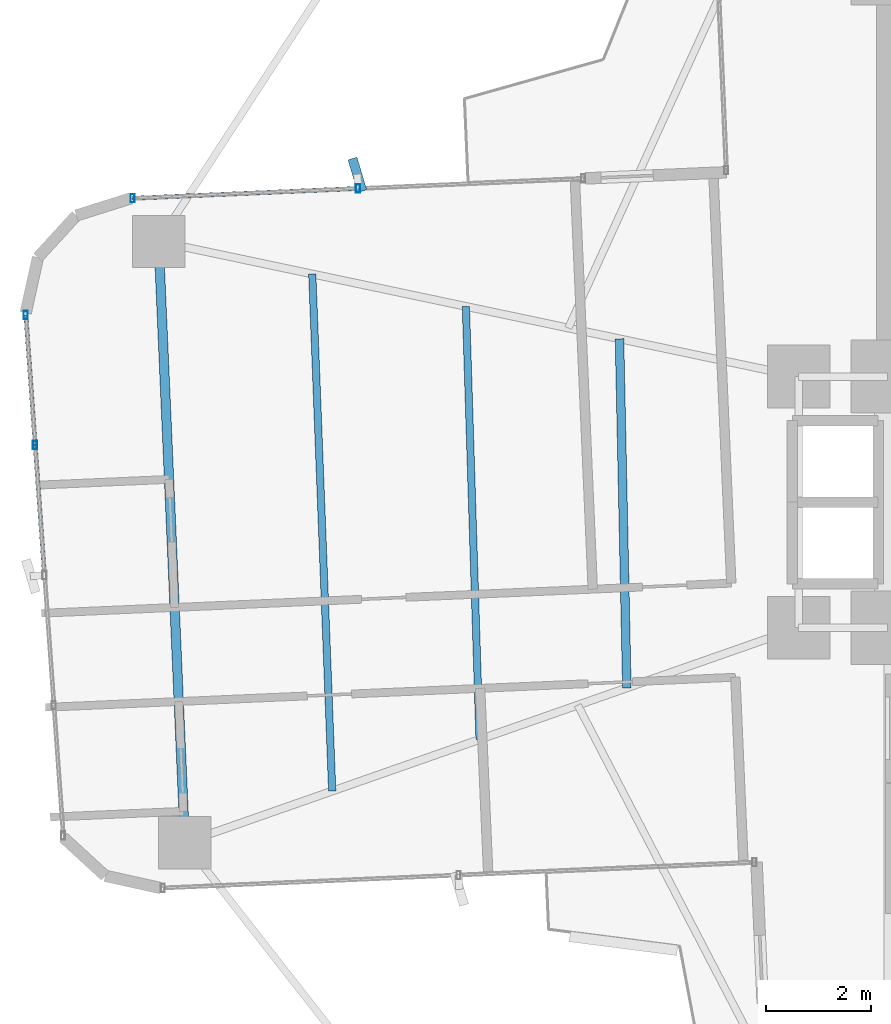
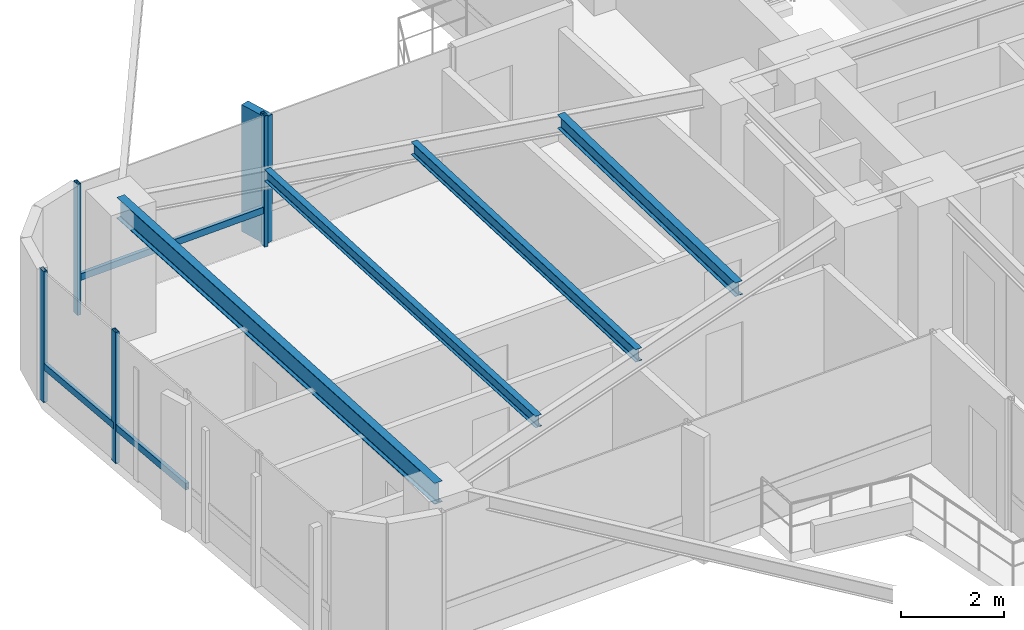
# One storey, part 9 of 26: 8 members, 4 beams, 2 elements without a shape of their own.
"""IFC4 building model written with IfcOpenShell, lengths in metres."""

from ifc_helpers import new_model, si_unit, direction, frame, origin, origin_2d, place, context, subcontext, project, spatial, rectangle, hollow_rectangle, i_section, extrude, source, transform, mapped, material, material_profile, profile_set, type_object, element, aggregate, save


model = new_model("IFC4")

# Units and contexts
model_context = context("Model", 3, precision=1e-05, world=origin(), true_north=direction((0.0, 1.0)))
body_context = subcontext(model_context, "Body", "Model", "MODEL_VIEW")
ifc_project = project(units=[si_unit("LENGTHUNIT", "METRE"), si_unit("AREAUNIT", "SQUARE_METRE"), si_unit("VOLUMEUNIT", "CUBIC_METRE"), si_unit("PLANEANGLEUNIT", "RADIAN"), si_unit("MASSUNIT", "GRAM", prefix="KILO")], contexts=[model_context])

# Site, building, storey
site_placement = place(None, origin())
site = spatial("IfcSite", under=ifc_project, at=site_placement, CompositionType="ELEMENT")
building_placement = place(site_placement, origin())
building = spatial("IfcBuilding", under=site, at=building_placement, Name="Sahyath Konkavel Grand Hotel", CompositionType="ELEMENT")
storey_placement = place(building_placement, frame((0.0, 0.0, 111.449951171875)))
storey = spatial("IfcBuildingStorey", under=building, at=storey_placement, Name="L30", CompositionType="ELEMENT", Elevation=111.449951171875)

# Beams
ifc_material_1 = material(Name="Steel E350", Category="steel")
ifc_material_profile_1 = material_profile(ifc_material_1, i_section(OverallWidth=0.179931640625, OverallDepth=0.5, WebThickness=0.01025390625, FlangeThickness=0.01708984375, FilletRadius=0.01708984375, at=origin_2d()), Name="ISMB 500")
ifc_profile_set_1 = profile_set([ifc_material_profile_1], Name="Steel E350")
beam_type_1 = type_object("IfcBeamType", Name="BM-ISMB500", PredefinedType="BEAM", material=ifc_profile_set_1)
shared_shape_1 = source(origin(), body_context, "Body", "SweptSolid", [
    extrude(i_section(OverallWidth=0.179931640625, OverallDepth=0.5, WebThickness=0.01025390625, FlangeThickness=0.01708984375, FilletRadius=0.01708984375, at=origin_2d()), origin(), (0.0, 0.0, 1.0), 11.5),
])
beam_1_placement = place(storey_placement, frame((-17.734130859375, 4.981201171875, 2.860107421875), z_axis=(0.043627008892, -0.99904788879, 0.0), x_axis=(0.99904788879, 0.043627008892, 0.0)))
element("IfcBeam", 1, at=beam_1_placement, inside=storey, type_object=beam_type_1, Name="L30 Wing Tip Edge Beam W", PredefinedType="BEAM", context=body_context, shape_type="MappedRepresentation", body=[
    mapped(shared_shape_1, transform((0.0, 0.0, 0.0), scale=1.0)),
])
ifc_material_profile_2 = material_profile(ifc_material_1, i_section(OverallWidth=0.1650390625, OverallDepth=0.324951171875, WebThickness=0.007080078125, FlangeThickness=0.009765625, FilletRadius=0.014892578125, at=origin_2d()), Name="ISLB 325")
ifc_profile_set_2 = profile_set([ifc_material_profile_2], Name="Steel E350")
beam_type_2 = type_object("IfcBeamType", Name="BM-ISLB325", PredefinedType="BEAM", material=ifc_profile_set_2)
shared_shape_2 = source(origin(), body_context, "Body", "SweptSolid", [
    extrude(i_section(OverallWidth=0.1650390625, OverallDepth=0.324951171875, WebThickness=0.007080078125, FlangeThickness=0.009765625, FilletRadius=0.014892578125, at=origin_2d()), origin(), (0.0, 0.0, 1.0), 6.674560546875),
])
beam_2_placement = place(storey_placement, frame((-8.925537109375, 3.122802734375, 2.947509765625), z_axis=(0.021032188543, -0.999778799058, 0.0), x_axis=(0.999778799058, 0.021032188543, 0.0)))
element("IfcBeam", 2, at=beam_2_placement, inside=storey, type_object=beam_type_2, Name="L30 Secondary Floor Beam W-1", PredefinedType="BEAM", context=body_context, shape_type="MappedRepresentation", body=[
    mapped(shared_shape_2, transform((0.0, 0.0, 0.0), scale=1.0)),
])
ifc_material_profile_3 = material_profile(ifc_material_1, i_section(OverallWidth=0.139892578125, OverallDepth=0.300048828125, WebThickness=0.0078125, FlangeThickness=0.01318359375, FilletRadius=0.013916015625, at=origin_2d()), Name="ISMB 300")
ifc_profile_set_3 = profile_set([ifc_material_profile_3], Name="Steel E350")
beam_type_3 = type_object("IfcBeamType", Name="BM-ISMB300", PredefinedType="BEAM", material=ifc_profile_set_3)
shared_shape_3 = source(origin(), body_context, "Body", "SweptSolid", [
    extrude(i_section(OverallWidth=0.139892578125, OverallDepth=0.300048828125, WebThickness=0.0078125, FlangeThickness=0.01318359375, FilletRadius=0.013916015625, at=origin_2d()), origin(), (0.0, 0.0, 1.0), 8.282470703125),
])
beam_3_placement = place(storey_placement, frame((-11.86181640625, 3.7421875, 2.9599609375), z_axis=(0.031510827707, -0.999503410568, 0.0), x_axis=(0.999503410568, 0.031510827707, 0.0)))
element("IfcBeam", 3, at=beam_3_placement, inside=storey, type_object=beam_type_3, Name="L30 Secondary Floor Beam W-2", PredefinedType="BEAM", context=body_context, shape_type="MappedRepresentation", body=[
    mapped(shared_shape_3, transform((0.0, 0.0, 0.0), scale=1.0)),
])
ifc_material_profile_4 = material_profile(ifc_material_1, i_section(OverallWidth=0.139892578125, OverallDepth=0.27490234375, WebThickness=0.00634765625, FlangeThickness=0.0087890625, FilletRadius=0.012939453125, at=origin_2d()), Name="ISLB 275")
ifc_profile_set_4 = profile_set([ifc_material_profile_4], Name="Steel E350")
beam_type_4 = type_object("IfcBeamType", Name="BM-ISLB275", PredefinedType="BEAM", material=ifc_profile_set_4)
shared_shape_4 = source(origin(), body_context, "Body", "SweptSolid", [
    extrude(i_section(OverallWidth=0.139892578125, OverallDepth=0.27490234375, WebThickness=0.00634765625, FlangeThickness=0.0087890625, FilletRadius=0.012939453125, at=origin_2d()), origin(), (0.0, 0.0, 1.0), 9.89111328125),
])
beam_4_placement = place(storey_placement, frame((-14.798095703125, 4.36181640625, 2.97265625), z_axis=(0.03855445741, -0.999256500511, 0.0), x_axis=(0.999256500511, 0.03855445741, 0.0)))
element("IfcBeam", 4, at=beam_4_placement, inside=storey, type_object=beam_type_4, Name="L30 Secondary Floor Beam W-3", PredefinedType="BEAM", context=body_context, shape_type="MappedRepresentation", body=[
    mapped(shared_shape_4, transform((0.0, 0.0, 0.0), scale=1.0)),
])

# Curtain wall, members
ifc_material_2 = material(Name="Anodised Bronze Aluminium & Low-E Glazing", Category="aluminium")
curtain_wall_type = type_object("IfcCurtainWallType", Name="CW-ZONE2", PredefinedType="NOTDEFINED", material=ifc_material_2)
curtain_wall_1_placement = place(storey_placement, origin())
curtain_wall_1 = element("IfcCurtainWall", 5, at=curtain_wall_1_placement, inside=storey, type_object=curtain_wall_type, Name="L30 Unitised Curtain Wall F16", PredefinedType="NOTDEFINED")
ifc_material_3 = material(Name="Warm Buff Sandstone Cladding on Concrete C50/60", Category="masonry")
ifc_material_profile_5 = material_profile(ifc_material_3, rectangle(XDim=0.179931640625, YDim=0.64990234375, at=origin_2d()), Name="FIN 180x650")
ifc_profile_set_5 = profile_set([ifc_material_profile_5], Name="Warm Buff Sandstone Cladding on Concrete C50/60")
member_type_1 = type_object("IfcMemberType", Name="FIN-SANDSTONE-650", PredefinedType="MULLION", material=ifc_profile_set_5)
shared_shape_5 = source(origin(), body_context, "Body", "SweptSolid", [
    extrude(rectangle(XDim=0.179931640625, YDim=0.64990234375, at=origin_2d()), origin(), (0.0, 0.0, 1.0), 3.010009765625),
])
member_1_placement = place(storey_placement, frame((-13.936279296875, 6.258056640625, 0.050048828125), z_axis=(0.0, 0.0, 1.0), x_axis=(0.958172857028, 0.286190104747, 0.0)))
member_1 = element("IfcMember", 6, at=member_1_placement, type_object=member_type_1, Name="L30 Sandstone Vertical Solar Fin FIN F16-1", PredefinedType="MULLION", context=body_context, shape_type="MappedRepresentation", body=[
    mapped(shared_shape_5, transform((0.0, 0.0, 0.0), scale=1.0)),
])
ifc_material_4 = material(Name="Anodised Bronze Aluminium", Category="aluminium")
ifc_material_profile_6 = material_profile(ifc_material_4, hollow_rectangle(XDim=0.080078125, YDim=0.159912109375, WallThickness=0.006103515625, at=origin_2d()), Name="RHS 160x80x6")
ifc_profile_set_6 = profile_set([ifc_material_profile_6], Name="Anodised Bronze Aluminium")
member_type_2 = type_object("IfcMemberType", Name="CW-MUL-160", PredefinedType="MULLION", material=ifc_profile_set_6)
shared_shape_6 = source(origin(), body_context, "Body", "SweptSolid", [
    extrude(hollow_rectangle(XDim=0.080078125, YDim=0.159912109375, WallThickness=0.006103515625, at=origin_2d()), origin(), (0.0, 0.0, 1.0), 3.110107421875),
])
member_2_placement = place(storey_placement, frame((-13.9248046875, 5.998291015625, 0.0), z_axis=(0.0, 0.0, 1.0), x_axis=(1.0, 0.0, 0.0)))
member_2 = element("IfcMember", 7, at=member_2_placement, type_object=member_type_2, Name="L30 Curtain Wall Mullion F16-1", PredefinedType="MULLION", context=body_context, shape_type="MappedRepresentation", body=[
    mapped(shared_shape_6, transform((0.0, 0.0, 0.0), scale=1.0)),
])
member_3_placement = place(storey_placement, frame((-18.230712890625, 5.810302734375, 0.0), z_axis=(0.0, 0.0, 1.0), x_axis=(1.0, 0.0, 0.0)))
member_3 = element("IfcMember", 8, at=member_3_placement, type_object=member_type_2, Name="L30 Curtain Wall Mullion F16-2", PredefinedType="MULLION", context=body_context, shape_type="MappedRepresentation", body=[
    mapped(shared_shape_6, transform((0.0, 0.0, 0.0), scale=1.0)),
])

curtain_wall_2_placement = place(storey_placement, origin())
curtain_wall_2 = element("IfcCurtainWall", 9, at=curtain_wall_2_placement, inside=storey, type_object=curtain_wall_type, Name="L30 Unitised Curtain Wall F20", PredefinedType="NOTDEFINED")
member_4_placement = place(storey_placement, frame((-20.2744140625, 3.5791015625, 0.0), z_axis=(0.0, 0.0, 1.0), x_axis=(1.0, 0.0, 0.0)))
member_4 = element("IfcMember", 10, at=member_4_placement, type_object=member_type_2, Name="L30 Curtain Wall Mullion F20-0", PredefinedType="MULLION", context=body_context, shape_type="MappedRepresentation", body=[
    mapped(shared_shape_6, transform((0.0, 0.0, 0.0), scale=1.0)),
])
member_5_placement = place(storey_placement, frame((-20.095947265625, 1.092041015625, 0.0), z_axis=(0.0, 0.0, 1.0), x_axis=(1.0, 0.0, 0.0)))
member_5 = element("IfcMember", 11, at=member_5_placement, type_object=member_type_2, Name="L30 Curtain Wall Mullion F20-1", PredefinedType="MULLION", context=body_context, shape_type="MappedRepresentation", body=[
    mapped(shared_shape_6, transform((0.0, 0.0, 0.0), scale=1.0)),
])

# Member
ifc_material_profile_7 = material_profile(ifc_material_4, hollow_rectangle(XDim=0.080078125, YDim=0.159912109375, WallThickness=0.006103515625, at=origin_2d()), Name="RHS 160x80x6")
ifc_profile_set_7 = profile_set([ifc_material_profile_7], Name="Anodised Bronze Aluminium")
member_type_3 = type_object("IfcMemberType", Name="CW-TRN-160", PredefinedType="USERDEFINED", material=ifc_profile_set_7)
shared_shape_7 = source(origin(), body_context, "Body", "SweptSolid", [
    extrude(hollow_rectangle(XDim=0.080078125, YDim=0.159912109375, WallThickness=0.006103515625, at=origin_2d()), origin(), (0.0, 0.0, 1.0), 4.31005859375),
])
member_6_placement = place(storey_placement, frame((-13.9248046875, 5.998291015625, 0.85009765625), z_axis=(-0.999048340188, -0.043616670746, 0.0), x_axis=(0.043616670746, -0.999048340188, 0.0)))
member_6 = element("IfcMember", 12, at=member_6_placement, type_object=member_type_3, Name="L30 Curtain Wall Transom F16-1-spandrel", ObjectType="TRANSOM", PredefinedType="USERDEFINED", context=body_context, shape_type="MappedRepresentation", body=[
    mapped(shared_shape_7, transform((0.0, 0.0, 0.0), scale=1.0)),
])

aggregate(curtain_wall_1, [member_2, member_1, member_3, member_6])

shared_shape_8 = source(origin(), body_context, "Body", "SweptSolid", [
    extrude(hollow_rectangle(XDim=0.080078125, YDim=0.159912109375, WallThickness=0.006103515625, at=origin_2d()), origin(), (0.0, 0.0, 1.0), 2.493408203125),
])
member_7_placement = place(storey_placement, frame((-20.2744140625, 3.5791015625, 0.85009765625), z_axis=(0.071574084062, -0.997435286367, 0.0), x_axis=(0.997435286367, 0.071574084062, 0.0)))
member_7 = element("IfcMember", 13, at=member_7_placement, type_object=member_type_3, Name="L30 Curtain Wall Transom F20-0-spandrel", ObjectType="TRANSOM", PredefinedType="USERDEFINED", context=body_context, shape_type="MappedRepresentation", body=[
    mapped(shared_shape_8, transform((0.0, 0.0, 0.0), scale=1.0)),
])

member_8_placement = place(storey_placement, frame((-20.095947265625, 1.092041015625, 0.85009765625), z_axis=(0.071574084062, -0.997435286367, 0.0), x_axis=(0.997435286367, 0.071574084062, 0.0)))
member_8 = element("IfcMember", 14, at=member_8_placement, type_object=member_type_3, Name="L30 Curtain Wall Transom F20-1-spandrel", ObjectType="TRANSOM", PredefinedType="USERDEFINED", context=body_context, shape_type="MappedRepresentation", body=[
    mapped(shared_shape_8, transform((0.0, 0.0, 0.0), scale=1.0)),
])

aggregate(curtain_wall_2, [member_4, member_5, member_7, member_8])

save(model, "model.ifc")
